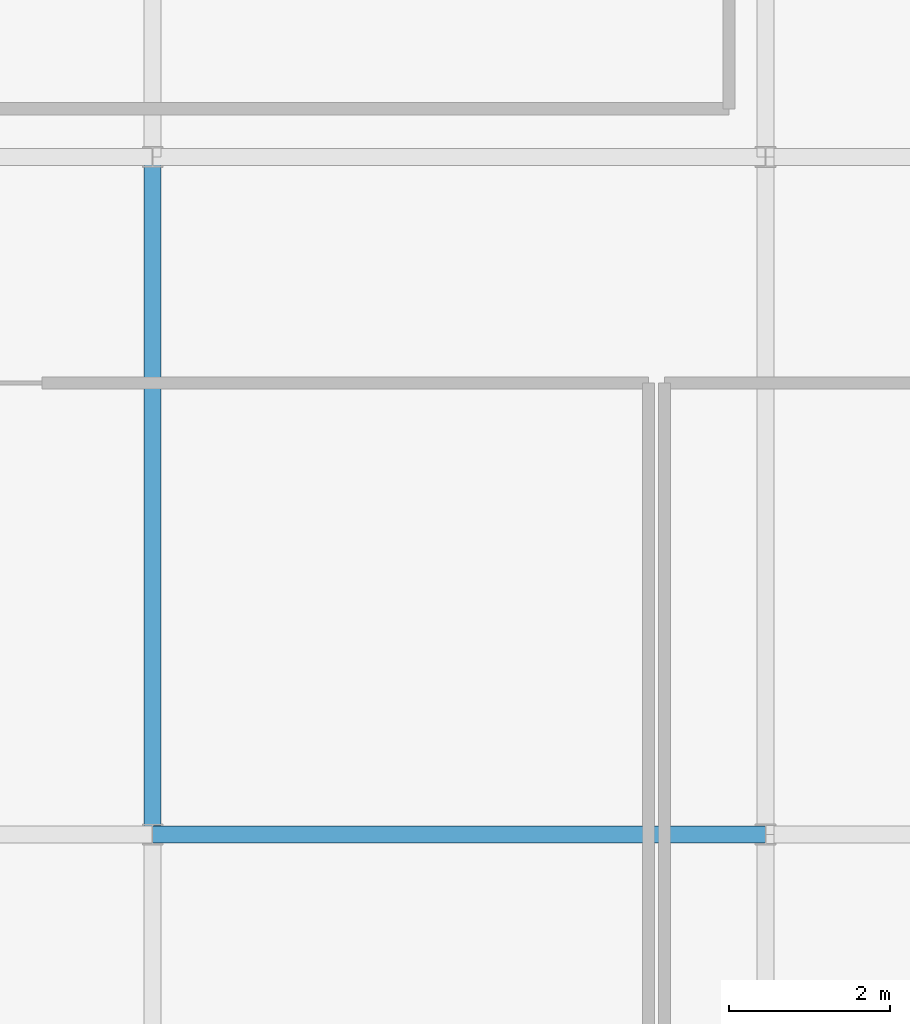
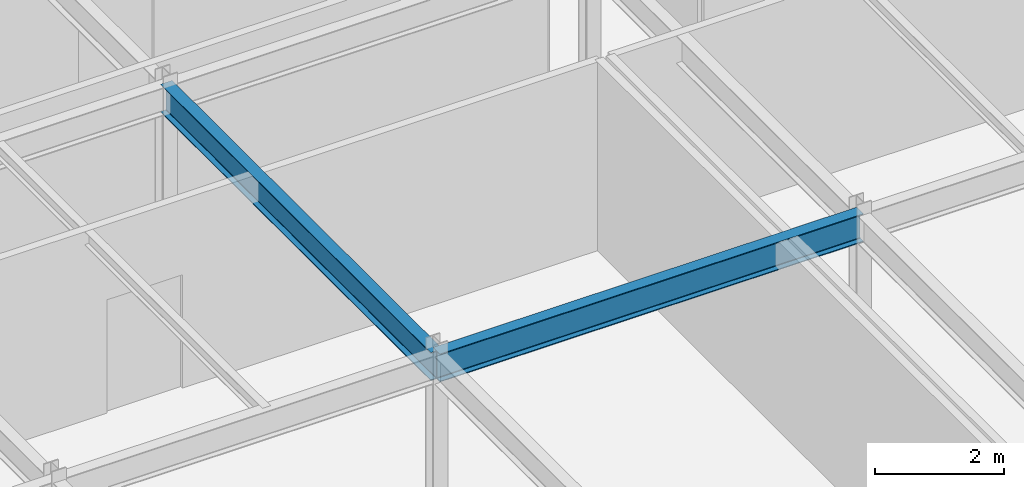
# One storey, part 9 of 36: 2 beams.
"""IFC4 building model written with IfcOpenShell, lengths in metres."""

import ifcopenshell
import ifcopenshell.guid

model = None  # the IFC model being written
_history = None  # IfcOwnerHistory: only IFC2X3 demands one
_inside = {}  # id of a spatial element -> (the spatial element, [elements in it])
_under = {}  # id of a project, library or spatial element -> (it, [spatial elements below it])
_declared = {}  # id of a project -> (the project, [libraries it declares])
_typed = {}  # id of a type object -> (the type object, [elements of that type])
_made_of = {}  # id of a material, layer set ... -> (it, [elements and type objects made of it])


def new_model(schema):
    """Start an empty IFC model of exactly this schema.

    Asked for "IFC4X3", IfcOpenShell would pick the latest addendum, in which some entities
    have other attributes; the version numbers below select the first issue.
    IFC2X3 requires an IfcOwnerHistory on every rooted entity: one is made here for all.
    """
    global model, _history
    if schema == "IFC4X3":
        model = ifcopenshell.file(schema_version=(4, 3, 0, 0))
    else:
        model = ifcopenshell.file(schema=schema)
    _inside.clear()
    _under.clear()
    _declared.clear()
    _typed.clear()
    _made_of.clear()
    _history = None
    if model.schema == "IFC2X3":
        org = make("IfcOrganization", Name="unknown")
        user = make(
            "IfcPersonAndOrganization",
            ThePerson=make("IfcPerson", FamilyName="unknown"),
            TheOrganization=org,
        )
        app = make(
            "IfcApplication",
            ApplicationDeveloper=org,
            Version="unknown",
            ApplicationFullName="unknown",
            ApplicationIdentifier="unknown",
        )
        _history = make(
            "IfcOwnerHistory",
            OwningUser=user,
            OwningApplication=app,
            ChangeAction="ADDED",
            CreationDate=0,
        )
    return model


def make(cls, **values):
    """One entity of the class cls with the attributes given. An attribute that is None is left unset."""
    return model.create_entity(
        cls, **{name: value for name, value in values.items() if value is not None}
    )


def rooted(cls, **values):
    """An entity with a GlobalId (a new one), such as an element, a storey or a relation."""
    return make(cls, GlobalId=ifcopenshell.guid.new(), OwnerHistory=_history, **values)


def si_unit(unit_type, name, prefix=None):
    """IfcSIUnit, for example si_unit("LENGTHUNIT", "METRE", prefix="MILLI")."""
    return make("IfcSIUnit", UnitType=unit_type, Prefix=prefix, Name=name)


def assignment(units):
    """IfcUnitAssignment: the units of a project."""
    return None if units is None else make("IfcUnitAssignment", Units=units)


def point(xyz):
    """IfcCartesianPoint."""
    return None if xyz is None else make("IfcCartesianPoint", Coordinates=xyz)


def direction(xyz):
    """IfcDirection."""
    return None if xyz is None else make("IfcDirection", DirectionRatios=xyz)


def frame(location, z_axis=None, x_axis=None):
    """IfcAxis2Placement3D, a coordinate frame: its origin and axes. An axis left out is left unset."""
    return make(
        "IfcAxis2Placement3D",
        Location=point(location),
        Axis=direction(z_axis),
        RefDirection=direction(x_axis),
    )


def frame_2d(location, x_axis=None):
    """IfcAxis2Placement2D, a coordinate frame in the plane: its origin and x axis."""
    return make(
        "IfcAxis2Placement2D", Location=point(location), RefDirection=direction(x_axis)
    )


def origin():
    """The frame at (0, 0, 0) with its axes left unset."""
    return frame((0.0, 0.0, 0.0))


def origin_2d():
    """The frame at (0, 0) in the plane with its x axis left unset."""
    return frame_2d((0.0, 0.0))


def place(relative_to, where):
    """IfcLocalPlacement: puts the frame where relative to a parent placement (None: the world)."""
    return make(
        "IfcLocalPlacement", PlacementRelTo=relative_to, RelativePlacement=where
    )


def context(
    kind, dimensions, precision=None, world=None, true_north=None, identifier=None
):
    """IfcGeometricRepresentationContext, for example the 3D "Model" context."""
    return make(
        "IfcGeometricRepresentationContext",
        ContextIdentifier=identifier,
        ContextType=kind,
        CoordinateSpaceDimension=dimensions,
        Precision=precision,
        WorldCoordinateSystem=world,
        TrueNorth=true_north,
    )


def subcontext(parent, identifier, kind, view, scale=None):
    """IfcGeometricRepresentationSubContext, for example "Body" below "Model"."""
    return make(
        "IfcGeometricRepresentationSubContext",
        ContextIdentifier=identifier,
        ContextType=kind,
        ParentContext=parent,
        TargetScale=scale,
        TargetView=view,
    )


def project(units=None, contexts=None):
    """IfcProject with its units and contexts."""
    return rooted(
        "IfcProject",
        Name="project",
        RepresentationContexts=contexts,
        UnitsInContext=assignment(units),
    )


def spatial(cls, under=None, at=None, **own):
    """A site, building, storey or space (cls), placed at a placement, below another one or the project."""
    s = rooted(cls, ObjectPlacement=at, **own)
    if under is not None:
        _under.setdefault(under.id(), (under, []))[1].append(s)
    return s


def profile(cls, at=None, kind="AREA", **sizes):
    """A parametric profile (cls). Its sizes go by their IFC names, for example OverallWidth=200.0."""
    return make(cls, ProfileType=kind, Position=at, **sizes)


def i_section(**sizes):
    """IfcIShapeProfileDef."""
    return profile("IfcIShapeProfileDef", **sizes)


def extrude(swept, where, along, depth):
    """IfcExtrudedAreaSolid: the profile swept, set in the frame where, extruded along a direction by depth."""
    return make(
        "IfcExtrudedAreaSolid",
        SweptArea=swept,
        Position=where,
        ExtrudedDirection=direction(along),
        Depth=depth,
    )


def shape(context_of_items, identifier, shape_type, items):
    """IfcShapeRepresentation: the items that make up one representation, for example the "Body"."""
    return make(
        "IfcShapeRepresentation",
        ContextOfItems=context_of_items,
        RepresentationIdentifier=identifier,
        RepresentationType=shape_type,
        Items=items,
    )


def source(mapping_origin, context_of_items, identifier, shape_type, items):
    """IfcRepresentationMap: a shape defined once, which mapped items show again and again."""
    return make(
        "IfcRepresentationMap",
        MappingOrigin=mapping_origin,
        MappedRepresentation=shape(context_of_items, identifier, shape_type, items),
    )


def transform(
    local_origin,
    x_axis=None,
    y_axis=None,
    z_axis=None,
    scale=None,
    scale2=None,
    scale3=None,
    uniform=True,
):
    """IfcCartesianTransformationOperator3D, or its non-uniform kind. x_axis, y_axis, z_axis: its Axis1, 2, 3."""
    if uniform:
        return make(
            "IfcCartesianTransformationOperator3D",
            Axis1=direction(x_axis),
            Axis2=direction(y_axis),
            LocalOrigin=point(local_origin),
            Scale=scale,
            Axis3=direction(z_axis),
        )
    return make(
        "IfcCartesianTransformationOperator3DnonUniform",
        Axis1=direction(x_axis),
        Axis2=direction(y_axis),
        LocalOrigin=point(local_origin),
        Scale=scale,
        Axis3=direction(z_axis),
        Scale2=scale2,
        Scale3=scale3,
    )


def mapped(mapping_source, mapping_target):
    """IfcMappedItem: shows the shape of a source again, moved by a transform."""
    return make(
        "IfcMappedItem", MappingSource=mapping_source, MappingTarget=mapping_target
    )


def material(Name=None, Category=None):
    """IfcMaterial."""
    return make("IfcMaterial", Name=Name, Category=Category)


def material_profile(
    of_material, cross_section, Name=None, Category=None, Priority=None
):
    """IfcMaterialProfile: a cross section and its material."""
    return make(
        "IfcMaterialProfile",
        Name=Name,
        Material=of_material,
        Profile=cross_section,
        Priority=Priority,
        Category=Category,
    )


def profile_set(profiles, Name=None, composite=None):
    """IfcMaterialProfileSet."""
    return make(
        "IfcMaterialProfileSet",
        Name=Name,
        MaterialProfiles=profiles,
        CompositeProfile=composite,
    )


def made_of(thing, what):
    """Note that an element or type object is made of a material, layer set ...; save() writes the relation."""
    if what is not None:
        _made_of.setdefault(what.id(), (what, []))[1].append(thing)
    return thing


def type_object(cls, material=None, **own):
    """A type object (cls), such as IfcWallType, which elements share."""
    return made_of(rooted(cls, **own), material)


def type_shapes(of_type, sources):
    """Give a type object the sources (RepresentationMaps) that its elements show as mapped items."""
    of_type.RepresentationMaps = sources


def element(
    cls,
    number,
    at=None,
    inside=None,
    cuts=None,
    type_object=None,
    material=None,
    context=None,
    identifier="Body",
    shape_type=None,
    held_by="IfcProductDefinitionShape",
    body=None,
    shapes=None,
    **own,
):
    """One element of the class cls, such as IfcWall. Its Tag is "e" and its number.

    at: its placement. inside: the storey or other place that contains it. cuts: it is an
    opening in that element (IfcRelVoidsElement). A single representation is given by context,
    identifier, shape_type and body (its items); several are given by shapes. held_by: the class
    of the entity that holds the representations. save() writes the other relations.
    """
    e = rooted(cls, Tag="e%d" % number, ObjectPlacement=at, **own)
    if body is not None:
        shapes = [shape(context, identifier, shape_type, body)]
    if shapes is not None:
        e.Representation = make(held_by, Representations=shapes)
    if inside is not None:
        _inside.setdefault(inside.id(), (inside, []))[1].append(e)
    if cuts is not None:
        rooted(
            "IfcRelVoidsElement", RelatingBuildingElement=cuts, RelatedOpeningElement=e
        )
    if type_object is not None:
        _typed.setdefault(type_object.id(), (type_object, []))[1].append(e)
    return made_of(e, material)


def aggregate(whole, parts):
    """IfcRelAggregates: a whole, such as a stair, and the parts it consists of."""
    return rooted("IfcRelAggregates", RelatingObject=whole, RelatedObjects=parts)


def save(model, path):
    """Write the relations noted so far, then the file.

    IfcRelAggregates (storeys below a building ...), IfcRelContainedInSpatialStructure (elements
    in a storey), IfcRelDefinesByType, IfcRelAssociatesMaterial and IfcRelDeclares: one each for
    every whole, place, type object, material and project.
    """
    for whole, parts in _under.values():
        aggregate(whole, parts)
    for where, things in _inside.values():
        rooted(
            "IfcRelContainedInSpatialStructure",
            RelatedElements=things,
            RelatingStructure=where,
        )
    for kind, things in _typed.values():
        rooted("IfcRelDefinesByType", RelatedObjects=things, RelatingType=kind)
    for what, things in _made_of.values():
        rooted("IfcRelAssociatesMaterial", RelatedObjects=things, RelatingMaterial=what)
    for by, libraries in _declared.values():
        rooted("IfcRelDeclares", RelatingContext=by, RelatedDefinitions=libraries)
    model.write(path)


model = new_model("IFC4")

# Units and contexts
model_context = context("Model", 3, precision=1e-05, world=origin(), true_north=direction((0.0, 1.0)))
body_context = subcontext(model_context, "Body", "Model", "MODEL_VIEW")
ifc_project = project(units=[si_unit("LENGTHUNIT", "METRE"), si_unit("AREAUNIT", "SQUARE_METRE"), si_unit("VOLUMEUNIT", "CUBIC_METRE"), si_unit("PLANEANGLEUNIT", "RADIAN"), si_unit("MASSUNIT", "GRAM", prefix="KILO")], contexts=[model_context])

# Site, building, storey
site_placement = place(None, origin())
site = spatial("IfcSite", under=ifc_project, at=site_placement, CompositionType="ELEMENT")
building_placement = place(site_placement, origin())
building = spatial("IfcBuilding", under=site, at=building_placement, Name="Tolvann Quenvar Hotel", CompositionType="ELEMENT")
storey_placement = place(building_placement, frame((0.0, 0.0, 294.75)))
storey = spatial("IfcBuildingStorey", under=building, at=storey_placement, Name="L78", CompositionType="ELEMENT", Elevation=294.75)

# Beams
ifc_material = material(Name="Steel Grade 350", Category="steel")
ifc_material_profile = material_profile(ifc_material, i_section(OverallWidth=0.208984375, OverallDepth=0.532958984375, WebThickness=0.01025390625, FlangeThickness=0.015625, FilletRadius=0.013916015625, at=origin_2d()), Name="530UB92")
ifc_profile_set = profile_set([ifc_material_profile], Name="Steel Grade 350")
beam_type = type_object("IfcBeamType", Name="BM_GIRD_530UB92", PredefinedType="BEAM", material=ifc_profile_set)
shared_shape_1 = source(origin(), body_context, "Body", "SweptSolid", [
    extrude(i_section(OverallWidth=0.208984375, OverallDepth=0.532958984375, WebThickness=0.01025390625, FlangeThickness=0.015625, FilletRadius=0.013916015625, at=origin_2d()), origin(), (0.0, 0.0, 1.0), 8.39990234375),
])
beam_1_placement = place(storey_placement, frame((14.449951171875, 16.0, 3.3134765625), z_axis=(0.0, 1.0, 0.0), x_axis=(-1.0, 0.0, 0.0)))
element("IfcBeam", 1, at=beam_1_placement, inside=storey, type_object=beam_type, Name="BM-L78-NS-D4-D5", PredefinedType="BEAM", context=body_context, shape_type="MappedRepresentation", body=[
    mapped(shared_shape_1, transform((0.0, 0.0, 0.0), x_axis=(1.0, 0.0, 0.0), y_axis=(0.0, 1.0, 0.0), z_axis=(0.0, 0.0, 1.0), scale=1.0)),
])
shared_shape_2 = source(origin(), body_context, "Body", "SweptSolid", [
    extrude(i_section(OverallWidth=0.208984375, OverallDepth=0.532958984375, WebThickness=0.01025390625, FlangeThickness=0.015625, FilletRadius=0.013916015625, at=origin_2d()), origin(), (0.0, 0.0, 1.0), 7.60009765625),
])
type_shapes(beam_type, [shared_shape_1, shared_shape_2])
beam_2_placement = place(storey_placement, frame((14.449951171875, 16.0, 3.3134765625), z_axis=(1.0, 0.0, 0.0), x_axis=(0.0, 1.0, 0.0)))
element("IfcBeam", 2, at=beam_2_placement, inside=storey, type_object=beam_type, Name="BM-L78-EW-4-D4-E4", PredefinedType="BEAM", context=body_context, shape_type="MappedRepresentation", body=[
    mapped(shared_shape_2, transform((0.0, 0.0, 0.0), x_axis=(1.0, 0.0, 0.0), y_axis=(0.0, 1.0, 0.0), z_axis=(0.0, 0.0, 1.0), scale=1.0)),
])

save(model, "model.ifc")
